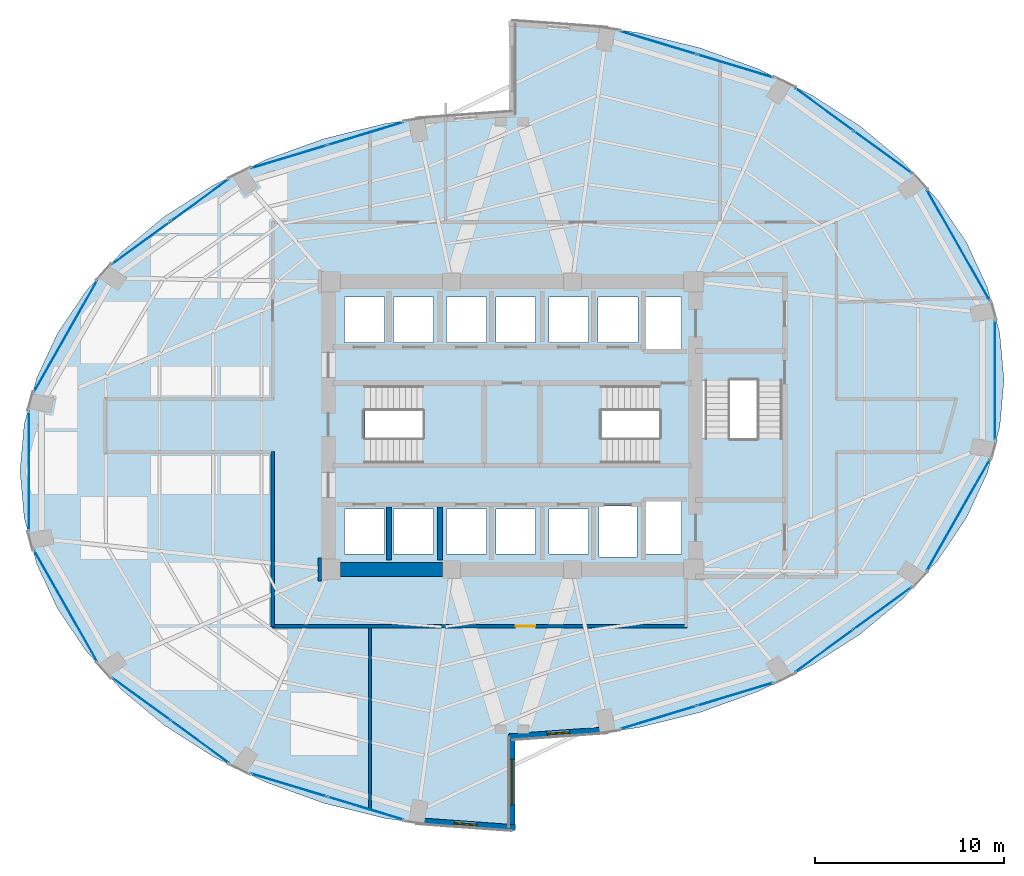
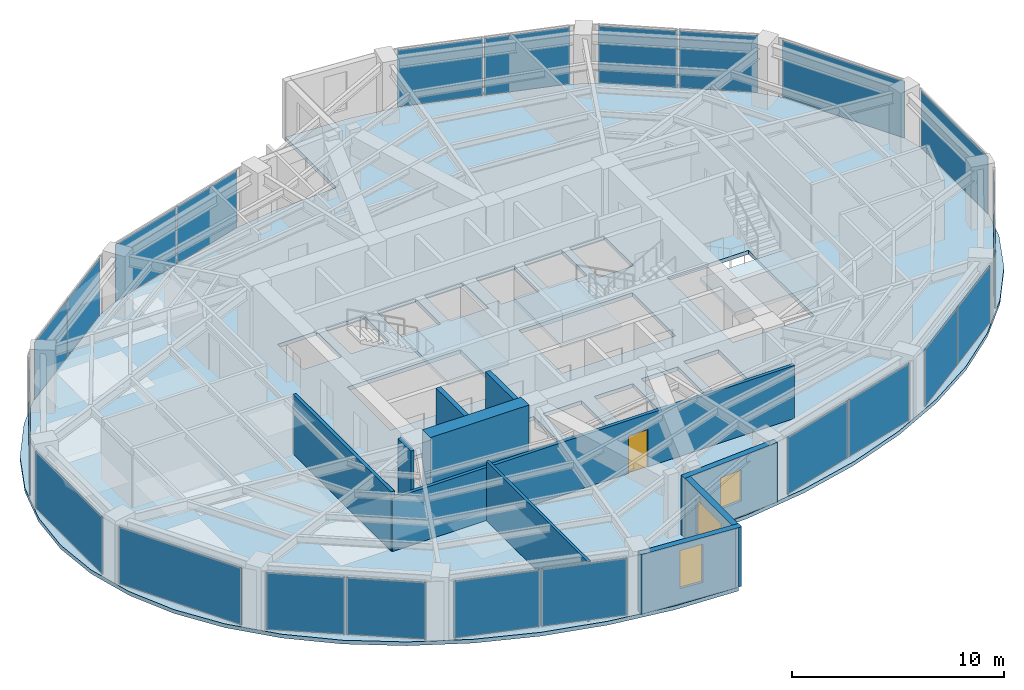
# One storey, part 18 of 23: 22 plates, 10 walls, 4 slabs, 3 windows, 1 door, 4 openings, 17 elements without a shape of their own.
"""IFC4 building model written with IfcOpenShell, lengths in metres."""

import ifcopenshell
import ifcopenshell.guid

model = None  # the IFC model being written
_history = None  # IfcOwnerHistory: only IFC2X3 demands one
_inside = {}  # id of a spatial element -> (the spatial element, [elements in it])
_under = {}  # id of a project, library or spatial element -> (it, [spatial elements below it])
_declared = {}  # id of a project -> (the project, [libraries it declares])
_typed = {}  # id of a type object -> (the type object, [elements of that type])
_made_of = {}  # id of a material, layer set ... -> (it, [elements and type objects made of it])


def new_model(schema):
    """Start an empty IFC model of exactly this schema.

    Asked for "IFC4X3", IfcOpenShell would pick the latest addendum, in which some entities
    have other attributes; the version numbers below select the first issue.
    IFC2X3 requires an IfcOwnerHistory on every rooted entity: one is made here for all.
    """
    global model, _history
    if schema == "IFC4X3":
        model = ifcopenshell.file(schema_version=(4, 3, 0, 0))
    else:
        model = ifcopenshell.file(schema=schema)
    _inside.clear()
    _under.clear()
    _declared.clear()
    _typed.clear()
    _made_of.clear()
    _history = None
    if model.schema == "IFC2X3":
        org = make("IfcOrganization", Name="unknown")
        user = make(
            "IfcPersonAndOrganization",
            ThePerson=make("IfcPerson", FamilyName="unknown"),
            TheOrganization=org,
        )
        app = make(
            "IfcApplication",
            ApplicationDeveloper=org,
            Version="unknown",
            ApplicationFullName="unknown",
            ApplicationIdentifier="unknown",
        )
        _history = make(
            "IfcOwnerHistory",
            OwningUser=user,
            OwningApplication=app,
            ChangeAction="ADDED",
            CreationDate=0,
        )
    return model


def make(cls, **values):
    """One entity of the class cls with the attributes given. An attribute that is None is left unset."""
    return model.create_entity(
        cls, **{name: value for name, value in values.items() if value is not None}
    )


def rooted(cls, **values):
    """An entity with a GlobalId (a new one), such as an element, a storey or a relation."""
    return make(cls, GlobalId=ifcopenshell.guid.new(), OwnerHistory=_history, **values)


def si_unit(unit_type, name, prefix=None):
    """IfcSIUnit, for example si_unit("LENGTHUNIT", "METRE", prefix="MILLI")."""
    return make("IfcSIUnit", UnitType=unit_type, Prefix=prefix, Name=name)


def assignment(units):
    """IfcUnitAssignment: the units of a project."""
    return None if units is None else make("IfcUnitAssignment", Units=units)


def point(xyz):
    """IfcCartesianPoint."""
    return None if xyz is None else make("IfcCartesianPoint", Coordinates=xyz)


def direction(xyz):
    """IfcDirection."""
    return None if xyz is None else make("IfcDirection", DirectionRatios=xyz)


def frame(location, z_axis=None, x_axis=None):
    """IfcAxis2Placement3D, a coordinate frame: its origin and axes. An axis left out is left unset."""
    return make(
        "IfcAxis2Placement3D",
        Location=point(location),
        Axis=direction(z_axis),
        RefDirection=direction(x_axis),
    )


def frame_2d(location, x_axis=None):
    """IfcAxis2Placement2D, a coordinate frame in the plane: its origin and x axis."""
    return make(
        "IfcAxis2Placement2D", Location=point(location), RefDirection=direction(x_axis)
    )


def origin():
    """The frame at (0, 0, 0) with its axes left unset."""
    return frame((0.0, 0.0, 0.0))


def origin_2d():
    """The frame at (0, 0) in the plane with its x axis left unset."""
    return frame_2d((0.0, 0.0))


def place(relative_to, where):
    """IfcLocalPlacement: puts the frame where relative to a parent placement (None: the world)."""
    return make(
        "IfcLocalPlacement", PlacementRelTo=relative_to, RelativePlacement=where
    )


def context(
    kind, dimensions, precision=None, world=None, true_north=None, identifier=None
):
    """IfcGeometricRepresentationContext, for example the 3D "Model" context."""
    return make(
        "IfcGeometricRepresentationContext",
        ContextIdentifier=identifier,
        ContextType=kind,
        CoordinateSpaceDimension=dimensions,
        Precision=precision,
        WorldCoordinateSystem=world,
        TrueNorth=true_north,
    )


def subcontext(parent, identifier, kind, view, scale=None):
    """IfcGeometricRepresentationSubContext, for example "Body" below "Model"."""
    return make(
        "IfcGeometricRepresentationSubContext",
        ContextIdentifier=identifier,
        ContextType=kind,
        ParentContext=parent,
        TargetScale=scale,
        TargetView=view,
    )


def project(units=None, contexts=None):
    """IfcProject with its units and contexts."""
    return rooted(
        "IfcProject",
        Name="project",
        RepresentationContexts=contexts,
        UnitsInContext=assignment(units),
    )


def spatial(cls, under=None, at=None, **own):
    """A site, building, storey or space (cls), placed at a placement, below another one or the project."""
    s = rooted(cls, ObjectPlacement=at, **own)
    if under is not None:
        _under.setdefault(under.id(), (under, []))[1].append(s)
    return s


def polyline(points):
    """IfcPolyline through the points."""
    return make("IfcPolyline", Points=[point(p) for p in points])


def profile(cls, at=None, kind="AREA", **sizes):
    """A parametric profile (cls). Its sizes go by their IFC names, for example OverallWidth=200.0."""
    return make(cls, ProfileType=kind, Position=at, **sizes)


def rectangle(**sizes):
    """IfcRectangleProfileDef."""
    return profile("IfcRectangleProfileDef", **sizes)


def outline(outer, holes=None, kind="AREA"):
    """IfcArbitraryClosedProfileDef: a profile drawn as a closed curve; with holes, ...WithVoids."""
    if holes is None:
        return make("IfcArbitraryClosedProfileDef", ProfileType=kind, OuterCurve=outer)
    return make(
        "IfcArbitraryProfileDefWithVoids",
        ProfileType=kind,
        OuterCurve=outer,
        InnerCurves=holes,
    )


def extrude(swept, where, along, depth):
    """IfcExtrudedAreaSolid: the profile swept, set in the frame where, extruded along a direction by depth."""
    return make(
        "IfcExtrudedAreaSolid",
        SweptArea=swept,
        Position=where,
        ExtrudedDirection=direction(along),
        Depth=depth,
    )


def shape(context_of_items, identifier, shape_type, items):
    """IfcShapeRepresentation: the items that make up one representation, for example the "Body"."""
    return make(
        "IfcShapeRepresentation",
        ContextOfItems=context_of_items,
        RepresentationIdentifier=identifier,
        RepresentationType=shape_type,
        Items=items,
    )


def material(Name=None, Category=None):
    """IfcMaterial."""
    return make("IfcMaterial", Name=Name, Category=Category)


def layer(
    of_material, thickness, ventilated=None, Name=None, Category=None, Priority=None
):
    """IfcMaterialLayer: one layer of a wall or slab, of a material (None: an air gap)."""
    return make(
        "IfcMaterialLayer",
        Material=of_material,
        LayerThickness=thickness,
        IsVentilated=ventilated,
        Name=Name,
        Category=Category,
        Priority=Priority,
    )


def layer_set(layers, Name=None):
    """IfcMaterialLayerSet."""
    return make("IfcMaterialLayerSet", MaterialLayers=layers, LayerSetName=Name)


def made_of(thing, what):
    """Note that an element or type object is made of a material, layer set ...; save() writes the relation."""
    if what is not None:
        _made_of.setdefault(what.id(), (what, []))[1].append(thing)
    return thing


def type_object(cls, material=None, **own):
    """A type object (cls), such as IfcWallType, which elements share."""
    return made_of(rooted(cls, **own), material)


def element(
    cls,
    number,
    at=None,
    inside=None,
    cuts=None,
    type_object=None,
    material=None,
    context=None,
    identifier="Body",
    shape_type=None,
    held_by="IfcProductDefinitionShape",
    body=None,
    shapes=None,
    **own,
):
    """One element of the class cls, such as IfcWall. Its Tag is "e" and its number.

    at: its placement. inside: the storey or other place that contains it. cuts: it is an
    opening in that element (IfcRelVoidsElement). A single representation is given by context,
    identifier, shape_type and body (its items); several are given by shapes. held_by: the class
    of the entity that holds the representations. save() writes the other relations.
    """
    e = rooted(cls, Tag="e%d" % number, ObjectPlacement=at, **own)
    if body is not None:
        shapes = [shape(context, identifier, shape_type, body)]
    if shapes is not None:
        e.Representation = make(held_by, Representations=shapes)
    if inside is not None:
        _inside.setdefault(inside.id(), (inside, []))[1].append(e)
    if cuts is not None:
        rooted(
            "IfcRelVoidsElement", RelatingBuildingElement=cuts, RelatedOpeningElement=e
        )
    if type_object is not None:
        _typed.setdefault(type_object.id(), (type_object, []))[1].append(e)
    return made_of(e, material)


def fill(opening, filler):
    """IfcRelFillsElement: the door or window that sits in an opening."""
    return rooted(
        "IfcRelFillsElement",
        RelatingOpeningElement=opening,
        RelatedBuildingElement=filler,
    )


def aggregate(whole, parts):
    """IfcRelAggregates: a whole, such as a stair, and the parts it consists of."""
    return rooted("IfcRelAggregates", RelatingObject=whole, RelatedObjects=parts)


def save(model, path):
    """Write the relations noted so far, then the file.

    IfcRelAggregates (storeys below a building ...), IfcRelContainedInSpatialStructure (elements
    in a storey), IfcRelDefinesByType, IfcRelAssociatesMaterial and IfcRelDeclares: one each for
    every whole, place, type object, material and project.
    """
    for whole, parts in _under.values():
        aggregate(whole, parts)
    for where, things in _inside.values():
        rooted(
            "IfcRelContainedInSpatialStructure",
            RelatedElements=things,
            RelatingStructure=where,
        )
    for kind, things in _typed.values():
        rooted("IfcRelDefinesByType", RelatedObjects=things, RelatingType=kind)
    for what, things in _made_of.values():
        rooted("IfcRelAssociatesMaterial", RelatedObjects=things, RelatingMaterial=what)
    for by, libraries in _declared.values():
        rooted("IfcRelDeclares", RelatingContext=by, RelatedDefinitions=libraries)
    model.write(path)


model = new_model("IFC4")

# Units and contexts
model_context = context("Model", 3, precision=1e-05, world=origin(), true_north=direction((0.0, 1.0)))
body_context = subcontext(model_context, "Body", "Model", "MODEL_VIEW")
ifc_project = project(units=[si_unit("LENGTHUNIT", "METRE"), si_unit("AREAUNIT", "SQUARE_METRE"), si_unit("VOLUMEUNIT", "CUBIC_METRE"), si_unit("PLANEANGLEUNIT", "RADIAN"), si_unit("MASSUNIT", "GRAM", prefix="KILO")], contexts=[model_context])

# Site, building, storey
site_placement = place(None, origin())
site = spatial("IfcSite", under=ifc_project, at=site_placement, CompositionType="ELEMENT")
building_placement = place(site_placement, origin())
building = spatial("IfcBuilding", under=site, at=building_placement, Name="Lazwardi Medical Tower", CompositionType="ELEMENT")
storey_placement = place(building_placement, frame((0.0, 0.0, 121.8720703125)))
storey = spatial("IfcBuildingStorey", under=building, at=storey_placement, Name="L31", CompositionType="ELEMENT", Elevation=121.8720703125)

# Curtain wall, plates
ifc_material_1 = material(Name="Anodised bronze aluminium and solar control glazing", Category="aluminium")
ifc_layer_1 = layer(ifc_material_1, 0.195068359375)
ifc_layer_set_1 = layer_set([ifc_layer_1], Name="Anodised bronze aluminium and solar control glazing")
curtain_wall_type = type_object("IfcCurtainWallType", Name="CW-SYS-03", PredefinedType="NOTDEFINED", material=ifc_layer_set_1)
curtain_wall_1_placement = place(storey_placement, origin())
curtain_wall_1 = element("IfcCurtainWall", 1, at=curtain_wall_1_placement, inside=storey, type_object=curtain_wall_type, Name="L31 Unitised bronze curtain wall CW-03", PredefinedType="NOTDEFINED")
ifc_material_2 = material(Name="Low-e bronze solar control double glazing", Category="glass")
ifc_layer_2 = layer(ifc_material_2, 0.035888671875)
ifc_layer_set_2 = layer_set([ifc_layer_2], Name="Low-e bronze solar control double glazing")
plate_type = type_object("IfcPlateType", Name="PLT-GLZ-01", PredefinedType="CURTAIN_PANEL", material=ifc_layer_set_2)
plate_1_placement = place(storey_placement, frame((43.73974609375, 12.573486328125, 0.07470703125), z_axis=(0.0, 0.0, 1.0), x_axis=(0.957216170558, 0.28937381157, 0.0)))
plate_1 = element("IfcPlate", 2, at=plate_1_placement, type_object=plate_type, Name="CW-03 panel 1.1", PredefinedType="CURTAIN_PANEL", context=body_context, shape_type="SweptSolid", body=[
    extrude(rectangle(XDim=4.16552734375, YDim=0.035888671875, at=origin_2d()), origin(), (0.0, 0.0, 1.0), 3.278076171875),
])
plate_2_placement = place(storey_placement, frame((47.798828125, 13.800537109375, 0.07470703125), z_axis=(0.0, 0.0, 1.0), x_axis=(0.957216170558, 0.28937381157, 0.0)))
plate_2 = element("IfcPlate", 3, at=plate_2_placement, type_object=plate_type, Name="CW-03 panel 2.1", PredefinedType="CURTAIN_PANEL", context=body_context, shape_type="SweptSolid", body=[
    extrude(rectangle(XDim=4.16552734375, YDim=0.035888671875, at=origin_2d()), origin(), (0.0, 0.0, 1.0), 3.278076171875),
])
aggregate(curtain_wall_1, [plate_1, plate_2])

curtain_wall_2_placement = place(storey_placement, origin())
curtain_wall_2 = element("IfcCurtainWall", 4, at=curtain_wall_2_placement, inside=storey, type_object=curtain_wall_type, Name="L31 Unitised bronze curtain wall CW-03", PredefinedType="NOTDEFINED")
plate_3_placement = place(storey_placement, frame((52.4990234375, 16.093017578125, 0.07470703125), z_axis=(0.0, 0.0, 1.0), x_axis=(0.807745837639, 0.589530882802, 0.0)))
plate_3 = element("IfcPlate", 5, at=plate_3_placement, type_object=plate_type, Name="CW-03 panel 1.1", PredefinedType="CURTAIN_PANEL", context=body_context, shape_type="SweptSolid", body=[
    extrude(rectangle(XDim=3.767578125, YDim=0.035888671875, at=origin_2d()), origin(), (0.0, 0.0, 1.0), 3.278076171875),
])
plate_4_placement = place(storey_placement, frame((55.60302734375, 18.3583984375, 0.07470703125), z_axis=(0.0, 0.0, 1.0), x_axis=(0.807745837639, 0.589530882802, 0.0)))
plate_4 = element("IfcPlate", 6, at=plate_4_placement, type_object=plate_type, Name="CW-03 panel 2.1", PredefinedType="CURTAIN_PANEL", context=body_context, shape_type="SweptSolid", body=[
    extrude(rectangle(XDim=3.767578125, YDim=0.035888671875, at=origin_2d()), origin(), (0.0, 0.0, 1.0), 3.278076171875),
])
aggregate(curtain_wall_2, [plate_3, plate_4])

# Curtain wall, plate
curtain_wall_3_placement = place(storey_placement, origin())
curtain_wall_3 = element("IfcCurtainWall", 7, at=curtain_wall_3_placement, inside=storey, type_object=curtain_wall_type, Name="L31 Unitised bronze curtain wall CW-03", PredefinedType="NOTDEFINED")
plate_5_placement = place(storey_placement, frame((59.5849609375, 23.270263671875, 0.07470703125), z_axis=(0.0, 0.0, 1.0), x_axis=(0.493603140041, 0.869687265712, 0.0)))
plate_5 = element("IfcPlate", 8, at=plate_5_placement, type_object=plate_type, Name="CW-03 panel 1.1", PredefinedType="CURTAIN_PANEL", context=body_context, shape_type="SweptSolid", body=[
    extrude(rectangle(XDim=6.722900390625, YDim=0.035888671875, at=origin_2d()), origin(), (0.0, 0.0, 1.0), 3.278076171875),
])
aggregate(curtain_wall_3, [plate_5])

curtain_wall_4_placement = place(storey_placement, origin())
curtain_wall_4 = element("IfcCurtainWall", 9, at=curtain_wall_4_placement, inside=storey, type_object=curtain_wall_type, Name="L31 Unitised bronze curtain wall CW-03", PredefinedType="NOTDEFINED")
plate_6_placement = place(storey_placement, frame((61.528076171875, 30.39990234375, 0.07470703125), z_axis=(0.0, 0.0, 1.0), x_axis=(0.0, 1.0, 0.0)))
plate_6 = element("IfcPlate", 10, at=plate_6_placement, type_object=plate_type, Name="CW-03 panel 1.1", PredefinedType="CURTAIN_PANEL", context=body_context, shape_type="SweptSolid", body=[
    extrude(rectangle(XDim=6.31982421875, YDim=0.035888671875, at=origin_2d()), origin(), (0.0, 0.0, 1.0), 3.278076171875),
])
aggregate(curtain_wall_4, [plate_6])

curtain_wall_5_placement = place(storey_placement, origin())
curtain_wall_5 = element("IfcCurtainWall", 11, at=curtain_wall_5_placement, inside=storey, type_object=curtain_wall_type, Name="L31 Unitised bronze curtain wall CW-03", PredefinedType="NOTDEFINED")
plate_7_placement = place(storey_placement, frame((59.5849609375, 37.52978515625, 0.07470703125), z_axis=(0.0, 0.0, 1.0), x_axis=(-0.493603140041, 0.869687265712, 0.0)))
plate_7 = element("IfcPlate", 12, at=plate_7_placement, type_object=plate_type, Name="CW-03 panel 1.1", PredefinedType="CURTAIN_PANEL", context=body_context, shape_type="SweptSolid", body=[
    extrude(rectangle(XDim=6.722900390625, YDim=0.035888671875, at=origin_2d()), origin(), (0.0, 0.0, 1.0), 3.278076171875),
])
aggregate(curtain_wall_5, [plate_7])

# Curtain wall, plates
curtain_wall_6_placement = place(storey_placement, origin())
curtain_wall_6 = element("IfcCurtainWall", 13, at=curtain_wall_6_placement, inside=storey, type_object=curtain_wall_type, Name="L31 Unitised bronze curtain wall CW-03", PredefinedType="NOTDEFINED")
plate_8_placement = place(storey_placement, frame((55.60302734375, 42.441650390625, 0.07470703125), z_axis=(0.0, 0.0, 1.0), x_axis=(-0.807745837639, 0.589530882802, 0.0)))
plate_8 = element("IfcPlate", 14, at=plate_8_placement, type_object=plate_type, Name="CW-03 panel 1.1", PredefinedType="CURTAIN_PANEL", context=body_context, shape_type="SweptSolid", body=[
    extrude(rectangle(XDim=3.767578125, YDim=0.035888671875, at=origin_2d()), origin(), (0.0, 0.0, 1.0), 3.278076171875),
])
plate_9_placement = place(storey_placement, frame((52.4990234375, 44.70703125, 0.07470703125), z_axis=(0.0, 0.0, 1.0), x_axis=(-0.807745837639, 0.589530882802, 0.0)))
plate_9 = element("IfcPlate", 15, at=plate_9_placement, type_object=plate_type, Name="CW-03 panel 2.1", PredefinedType="CURTAIN_PANEL", context=body_context, shape_type="SweptSolid", body=[
    extrude(rectangle(XDim=3.767578125, YDim=0.035888671875, at=origin_2d()), origin(), (0.0, 0.0, 1.0), 3.278076171875),
])
aggregate(curtain_wall_6, [plate_8, plate_9])

curtain_wall_7_placement = place(storey_placement, origin())
curtain_wall_7 = element("IfcCurtainWall", 16, at=curtain_wall_7_placement, inside=storey, type_object=curtain_wall_type, Name="L31 Unitised bronze curtain wall CW-03", PredefinedType="NOTDEFINED")
plate_10_placement = place(storey_placement, frame((47.798828125, 46.99951171875, 0.07470703125), z_axis=(0.0, 0.0, 1.0), x_axis=(-0.957216170558, 0.28937381157, 0.0)))
plate_10 = element("IfcPlate", 17, at=plate_10_placement, type_object=plate_type, Name="CW-03 panel 1.1", PredefinedType="CURTAIN_PANEL", context=body_context, shape_type="SweptSolid", body=[
    extrude(rectangle(XDim=4.16552734375, YDim=0.035888671875, at=origin_2d()), origin(), (0.0, 0.0, 1.0), 3.278076171875),
])
plate_11_placement = place(storey_placement, frame((43.73974609375, 48.2265625, 0.07470703125), z_axis=(0.0, 0.0, 1.0), x_axis=(-0.957216170558, 0.28937381157, 0.0)))
plate_11 = element("IfcPlate", 18, at=plate_11_placement, type_object=plate_type, Name="CW-03 panel 2.1", PredefinedType="CURTAIN_PANEL", context=body_context, shape_type="SweptSolid", body=[
    extrude(rectangle(XDim=4.16552734375, YDim=0.035888671875, at=origin_2d()), origin(), (0.0, 0.0, 1.0), 3.278076171875),
])
aggregate(curtain_wall_7, [plate_10, plate_11])

curtain_wall_8_placement = place(storey_placement, origin())
curtain_wall_8 = element("IfcCurtainWall", 19, at=curtain_wall_8_placement, inside=storey, type_object=curtain_wall_type, Name="L31 Unitised bronze curtain wall CW-03", PredefinedType="NOTDEFINED")
plate_12_placement = place(storey_placement, frame((28.26025390625, 43.426513671875, 0.07470703125), z_axis=(0.0, 0.0, 1.0), x_axis=(-0.957216170558, -0.28937381157, 0.0)))
plate_12 = element("IfcPlate", 20, at=plate_12_placement, type_object=plate_type, Name="CW-03 panel 1.1", PredefinedType="CURTAIN_PANEL", context=body_context, shape_type="SweptSolid", body=[
    extrude(rectangle(XDim=4.16552734375, YDim=0.035888671875, at=origin_2d()), origin(), (0.0, 0.0, 1.0), 3.278076171875),
])
plate_13_placement = place(storey_placement, frame((24.201171875, 42.199462890625, 0.07470703125), z_axis=(0.0, 0.0, 1.0), x_axis=(-0.957216170558, -0.28937381157, 0.0)))
plate_13 = element("IfcPlate", 21, at=plate_13_placement, type_object=plate_type, Name="CW-03 panel 2.1", PredefinedType="CURTAIN_PANEL", context=body_context, shape_type="SweptSolid", body=[
    extrude(rectangle(XDim=4.16552734375, YDim=0.035888671875, at=origin_2d()), origin(), (0.0, 0.0, 1.0), 3.278076171875),
])
aggregate(curtain_wall_8, [plate_12, plate_13])

curtain_wall_9_placement = place(storey_placement, origin())
curtain_wall_9 = element("IfcCurtainWall", 22, at=curtain_wall_9_placement, inside=storey, type_object=curtain_wall_type, Name="L31 Unitised bronze curtain wall CW-03", PredefinedType="NOTDEFINED")
plate_14_placement = place(storey_placement, frame((19.5009765625, 39.906982421875, 0.07470703125), z_axis=(0.0, 0.0, 1.0), x_axis=(-0.807745837639, -0.589530882802, 0.0)))
plate_14 = element("IfcPlate", 23, at=plate_14_placement, type_object=plate_type, Name="CW-03 panel 1.1", PredefinedType="CURTAIN_PANEL", context=body_context, shape_type="SweptSolid", body=[
    extrude(rectangle(XDim=3.767578125, YDim=0.035888671875, at=origin_2d()), origin(), (0.0, 0.0, 1.0), 3.278076171875),
])
plate_15_placement = place(storey_placement, frame((16.39697265625, 37.6416015625, 0.07470703125), z_axis=(0.0, 0.0, 1.0), x_axis=(-0.807745837639, -0.589530882802, 0.0)))
plate_15 = element("IfcPlate", 24, at=plate_15_placement, type_object=plate_type, Name="CW-03 panel 2.1", PredefinedType="CURTAIN_PANEL", context=body_context, shape_type="SweptSolid", body=[
    extrude(rectangle(XDim=3.767578125, YDim=0.035888671875, at=origin_2d()), origin(), (0.0, 0.0, 1.0), 3.278076171875),
])
aggregate(curtain_wall_9, [plate_14, plate_15])

# Curtain wall, plate
curtain_wall_10_placement = place(storey_placement, origin())
curtain_wall_10 = element("IfcCurtainWall", 25, at=curtain_wall_10_placement, inside=storey, type_object=curtain_wall_type, Name="L31 Unitised bronze curtain wall CW-03", PredefinedType="NOTDEFINED")
plate_16_placement = place(storey_placement, frame((12.4150390625, 32.729736328125, 0.07470703125), z_axis=(0.0, 0.0, 1.0), x_axis=(-0.493603140041, -0.869687265712, 0.0)))
plate_16 = element("IfcPlate", 26, at=plate_16_placement, type_object=plate_type, Name="CW-03 panel 1.1", PredefinedType="CURTAIN_PANEL", context=body_context, shape_type="SweptSolid", body=[
    extrude(rectangle(XDim=6.722900390625, YDim=0.035888671875, at=origin_2d()), origin(), (0.0, 0.0, 1.0), 3.278076171875),
])
aggregate(curtain_wall_10, [plate_16])

curtain_wall_11_placement = place(storey_placement, origin())
curtain_wall_11 = element("IfcCurtainWall", 27, at=curtain_wall_11_placement, inside=storey, type_object=curtain_wall_type, Name="L31 Unitised bronze curtain wall CW-03", PredefinedType="NOTDEFINED")
plate_17_placement = place(storey_placement, frame((10.471923828125, 25.60009765625, 0.07470703125), z_axis=(0.0, 0.0, 1.0), x_axis=(0.0, -1.0, 0.0)))
plate_17 = element("IfcPlate", 28, at=plate_17_placement, type_object=plate_type, Name="CW-03 panel 1.1", PredefinedType="CURTAIN_PANEL", context=body_context, shape_type="SweptSolid", body=[
    extrude(rectangle(XDim=6.31982421875, YDim=0.035888671875, at=origin_2d()), origin(), (0.0, 0.0, 1.0), 3.278076171875),
])
aggregate(curtain_wall_11, [plate_17])

curtain_wall_12_placement = place(storey_placement, origin())
curtain_wall_12 = element("IfcCurtainWall", 29, at=curtain_wall_12_placement, inside=storey, type_object=curtain_wall_type, Name="L31 Unitised bronze curtain wall CW-03", PredefinedType="NOTDEFINED")
plate_18_placement = place(storey_placement, frame((12.4150390625, 18.47021484375, 0.07470703125), z_axis=(0.0, 0.0, 1.0), x_axis=(0.493603140041, -0.869687265712, 0.0)))
plate_18 = element("IfcPlate", 30, at=plate_18_placement, type_object=plate_type, Name="CW-03 panel 1.1", PredefinedType="CURTAIN_PANEL", context=body_context, shape_type="SweptSolid", body=[
    extrude(rectangle(XDim=6.722900390625, YDim=0.035888671875, at=origin_2d()), origin(), (0.0, 0.0, 1.0), 3.278076171875),
])
aggregate(curtain_wall_12, [plate_18])

# Curtain wall, plates
curtain_wall_13_placement = place(storey_placement, origin())
curtain_wall_13 = element("IfcCurtainWall", 31, at=curtain_wall_13_placement, inside=storey, type_object=curtain_wall_type, Name="L31 Unitised bronze curtain wall CW-03", PredefinedType="NOTDEFINED")
plate_19_placement = place(storey_placement, frame((16.39697265625, 13.558349609375, 0.07470703125), z_axis=(0.0, 0.0, 1.0), x_axis=(0.807745837639, -0.589530882802, 0.0)))
plate_19 = element("IfcPlate", 32, at=plate_19_placement, type_object=plate_type, Name="CW-03 panel 1.1", PredefinedType="CURTAIN_PANEL", context=body_context, shape_type="SweptSolid", body=[
    extrude(rectangle(XDim=3.767578125, YDim=0.035888671875, at=origin_2d()), origin(), (0.0, 0.0, 1.0), 3.278076171875),
])
plate_20_placement = place(storey_placement, frame((19.5009765625, 11.29296875, 0.07470703125), z_axis=(0.0, 0.0, 1.0), x_axis=(0.807745837639, -0.589530882802, 0.0)))
plate_20 = element("IfcPlate", 33, at=plate_20_placement, type_object=plate_type, Name="CW-03 panel 2.1", PredefinedType="CURTAIN_PANEL", context=body_context, shape_type="SweptSolid", body=[
    extrude(rectangle(XDim=3.767578125, YDim=0.035888671875, at=origin_2d()), origin(), (0.0, 0.0, 1.0), 3.278076171875),
])
aggregate(curtain_wall_13, [plate_19, plate_20])

curtain_wall_14_placement = place(storey_placement, origin())
curtain_wall_14 = element("IfcCurtainWall", 34, at=curtain_wall_14_placement, inside=storey, type_object=curtain_wall_type, Name="L31 Unitised bronze curtain wall CW-03", PredefinedType="NOTDEFINED")
plate_21_placement = place(storey_placement, frame((24.201171875, 9.00048828125, 0.07470703125), z_axis=(0.0, 0.0, 1.0), x_axis=(0.957216170558, -0.28937381157, 0.0)))
plate_21 = element("IfcPlate", 35, at=plate_21_placement, type_object=plate_type, Name="CW-03 panel 1.1", PredefinedType="CURTAIN_PANEL", context=body_context, shape_type="SweptSolid", body=[
    extrude(rectangle(XDim=4.16552734375, YDim=0.035888671875, at=origin_2d()), origin(), (0.0, 0.0, 1.0), 3.278076171875),
])
plate_22_placement = place(storey_placement, frame((28.26025390625, 7.7734375, 0.07470703125), z_axis=(0.0, 0.0, 1.0), x_axis=(0.957216170558, -0.28937381157, 0.0)))
plate_22 = element("IfcPlate", 36, at=plate_22_placement, type_object=plate_type, Name="CW-03 panel 2.1", PredefinedType="CURTAIN_PANEL", context=body_context, shape_type="SweptSolid", body=[
    extrude(rectangle(XDim=4.16552734375, YDim=0.035888671875, at=origin_2d()), origin(), (0.0, 0.0, 1.0), 3.278076171875),
])
aggregate(curtain_wall_14, [plate_21, plate_22])

# Stair, slab
ifc_material_3 = material(Name="Concrete C45/55", Category="concrete")
stair_type = type_object("IfcStairType", Name="STR-WRD", PredefinedType="HALF_TURN_STAIR", material=ifc_material_3)
stair_1_placement = place(storey_placement, origin())
stair_1 = element("IfcStair", 37, at=stair_1_placement, inside=storey, type_object=stair_type, Name="L31 Protected Exit Stair ST1", PredefinedType="HALF_TURN_STAIR")
ifc_layer_3 = layer(ifc_material_3, 0.199951171875)
ifc_layer_set_3 = layer_set([ifc_layer_3], Name="Concrete C45/55")
slab_type_1 = type_object("IfcSlabType", Name="SLB-LND-190", PredefinedType="LANDING", material=ifc_layer_set_3)
slab_1_placement = place(storey_placement, frame((0.0, 0.0, 1.6240234375)))
slab_1 = element("IfcSlab", 38, at=slab_1_placement, type_object=slab_type_1, Name="ST1 landing 1", PredefinedType="LANDING", context=body_context, shape_type="SweptSolid", body=[
    extrude(outline(polyline([(31.27490234375, 25.840087890625), (34.580078125, 25.840087890625), (34.580078125, 30.280029296875), (31.27490234375, 30.280029296875), (31.27490234375, 25.840087890625)])), origin(), (0.0, 0.0, 1.0), 0.199951171875),
])
aggregate(stair_1, [slab_1])

stair_2_placement = place(storey_placement, origin())
stair_2 = element("IfcStair", 39, at=stair_2_placement, inside=storey, type_object=stair_type, Name="L31 Protected Exit Stair ST2", PredefinedType="HALF_TURN_STAIR")
slab_2_placement = place(storey_placement, frame((0.0, 0.0, 1.6240234375)))
slab_2 = element("IfcSlab", 40, at=slab_2_placement, type_object=slab_type_1, Name="ST2 landing 1", PredefinedType="LANDING", context=body_context, shape_type="SweptSolid", body=[
    extrude(outline(polyline([(40.72509765625, 30.280029296875), (37.419921875, 30.280029296875), (37.419921875, 25.840087890625), (40.72509765625, 25.840087890625), (40.72509765625, 30.280029296875)])), origin(), (0.0, 0.0, 1.0), 0.199951171875),
])
aggregate(stair_2, [slab_2])

stair_3_placement = place(storey_placement, origin())
stair_3 = element("IfcStair", 41, at=stair_3_placement, inside=storey, type_object=stair_type, Name="L31 Protected Exit Stair ST3", PredefinedType="HALF_TURN_STAIR")
slab_3_placement = place(storey_placement, frame((0.0, 0.0, 1.6240234375)))
slab_3 = element("IfcSlab", 42, at=slab_3_placement, type_object=slab_type_1, Name="ST3 landing 1", PredefinedType="LANDING", context=body_context, shape_type="SweptSolid", body=[
    extrude(outline(polyline([(45.860107421875, 27.324951171875), (45.860107421875, 24.02001953125), (50.4599609375, 24.02001953125), (50.4599609375, 27.324951171875), (45.860107421875, 27.324951171875)])), origin(), (0.0, 0.0, 1.0), 0.199951171875),
])
aggregate(stair_3, [slab_3])

# Slab
ifc_material_4 = material(Name="Concrete C50/60", Category="concrete")
ifc_layer_4 = layer(ifc_material_4, 0.219970703125)
ifc_layer_set_4 = layer_set([ifc_layer_4], Name="Concrete C50/60")
slab_type_2 = type_object("IfcSlabType", Name="SLB-WRD-220", PredefinedType="FLOOR", material=ifc_layer_set_4)
slab_4_placement = place(storey_placement, frame((0.0, 0.0, -0.219970703125)))
element("IfcSlab", 43, at=slab_4_placement, inside=storey, type_object=slab_type_2, Name="Structural floor slab SF-03 L31", PredefinedType="FLOOR", context=body_context, shape_type="SweptSolid", body=[
    extrude(outline(polyline([(11.97900390625, 32.87109375), (10.885986328125, 30.517578125), (10.222412109375, 28.080078125), (10.0, 25.60009765625), (10.222412109375, 23.1201171875), (10.885986328125, 20.682373046875), (11.97900390625, 18.3291015625), (13.4833984375, 16.10009765625), (15.372802734375, 14.033447265625), (17.615234375, 12.1650390625), (20.172119140625, 10.5263671875), (23.0, 9.1455078125), (26.05029296875, 8.04638671875), (29.270751953125, 7.247314453125), (32.606201171875, 6.762451171875), (36.0, 6.60009765625), (36.0, 11.39990234375), (39.393798828125, 11.5625), (42.729248046875, 12.04736328125), (45.94970703125, 12.84619140625), (49.0, 13.945556640625), (51.827880859375, 15.326416015625), (54.384765625, 16.965087890625), (56.627197265625, 18.83349609375), (58.5166015625, 20.89990234375), (60.02099609375, 23.12890625), (61.114013671875, 25.482421875), (61.777587890625, 27.919921875), (62.0, 30.39990234375), (61.777587890625, 32.8798828125), (61.114013671875, 35.317626953125), (60.02099609375, 37.6708984375), (58.5166015625, 39.89990234375), (56.627197265625, 41.966552734375), (54.384765625, 43.8349609375), (51.827880859375, 45.4736328125), (49.0, 46.8544921875), (45.94970703125, 47.95361328125), (42.729248046875, 48.752685546875), (39.393798828125, 49.237548828125), (36.0, 49.39990234375), (36.0, 44.60009765625), (32.606201171875, 44.4375), (29.270751953125, 43.95263671875), (26.05029296875, 43.15380859375), (23.0, 42.054443359375), (20.172119140625, 40.673583984375), (17.615234375, 39.034912109375), (15.372802734375, 37.16650390625), (13.4833984375, 35.10009765625), (11.97900390625, 32.87109375)]), holes=[polyline([(28.22509765625, 26.02001953125), (28.22509765625, 30.10009765625), (34.39990234375, 30.10009765625), (34.39990234375, 26.02001953125), (28.22509765625, 26.02001953125)]), polyline([(37.60009765625, 30.10009765625), (43.77490234375, 30.10009765625), (43.77490234375, 26.02001953125), (37.60009765625, 26.02001953125), (37.60009765625, 30.10009765625)]), polyline([(50.280029296875, 30.375), (50.280029296875, 24.179931640625), (45.840087890625, 24.179931640625), (45.840087890625, 30.375), (50.280029296875, 30.375)]), polyline([(29.25, 32.39990234375), (27.14990234375, 32.39990234375), (27.14990234375, 34.800048828125), (29.25, 34.800048828125), (29.25, 32.39990234375)]), polyline([(29.75, 32.39990234375), (29.75, 34.800048828125), (31.85009765625, 34.800048828125), (31.85009765625, 32.39990234375), (29.75, 32.39990234375)]), polyline([(27.14990234375, 23.60009765625), (29.25, 23.60009765625), (29.25, 21.199951171875), (27.14990234375, 21.199951171875), (27.14990234375, 23.60009765625)]), polyline([(31.85009765625, 23.60009765625), (31.85009765625, 21.199951171875), (29.75, 21.199951171875), (29.75, 23.60009765625), (31.85009765625, 23.60009765625)]), polyline([(34.64990234375, 32.39990234375), (32.550048828125, 32.39990234375), (32.550048828125, 34.800048828125), (34.64990234375, 34.800048828125), (34.64990234375, 32.39990234375)]), polyline([(35.14990234375, 32.39990234375), (35.14990234375, 34.800048828125), (37.25, 34.800048828125), (37.25, 32.39990234375), (35.14990234375, 32.39990234375)]), polyline([(32.550048828125, 23.60009765625), (34.64990234375, 23.60009765625), (34.64990234375, 21.199951171875), (32.550048828125, 21.199951171875), (32.550048828125, 23.60009765625)]), polyline([(37.25, 23.60009765625), (37.25, 21.199951171875), (35.14990234375, 21.199951171875), (35.14990234375, 23.60009765625), (37.25, 23.60009765625)]), polyline([(40.050048828125, 32.39990234375), (37.949951171875, 32.39990234375), (37.949951171875, 34.800048828125), (40.050048828125, 34.800048828125), (40.050048828125, 32.39990234375)]), polyline([(40.550048828125, 32.39990234375), (40.550048828125, 34.800048828125), (42.64990234375, 34.800048828125), (42.64990234375, 32.39990234375), (40.550048828125, 32.39990234375)]), polyline([(37.949951171875, 23.60009765625), (40.050048828125, 23.60009765625), (40.050048828125, 21.199951171875), (37.949951171875, 21.199951171875), (37.949951171875, 23.60009765625)]), polyline([(44.949951171875, 34.800048828125), (44.949951171875, 32.0), (43.050048828125, 32.0), (43.050048828125, 34.800048828125), (44.949951171875, 34.800048828125)]), polyline([(44.949951171875, 21.199951171875), (43.050048828125, 21.199951171875), (43.050048828125, 24.0), (44.949951171875, 24.0), (44.949951171875, 21.199951171875)]), polyline([(40.60009765625, 21.050048828125), (40.60009765625, 23.75), (42.60009765625, 23.75), (42.60009765625, 21.050048828125), (40.60009765625, 21.050048828125)])]), origin(), (0.0, 0.0, 1.0), 0.219970703125),
])

# Wall
ifc_material_5 = material(Name="Fire-rated gypsum board on steel stud", Category="steel")
ifc_layer_5 = layer(ifc_material_5, 0.179931640625)
ifc_layer_set_5 = layer_set([ifc_layer_5], Name="Fire-rated gypsum board on steel stud")
wall_type_1 = type_object("IfcWallType", Name="WL-COR-180", PredefinedType="PARTITIONING", material=ifc_layer_set_5)
wall_1_placement = place(storey_placement, frame((25.830078125, 21.010009765625, 0.0), z_axis=(0.0, 0.0, 1.0), x_axis=(0.0, -1.0, 0.0)))
element("IfcWall", 44, at=wall_1_placement, inside=storey, type_object=wall_type_1, Name="L31 Corridor partition 12", PredefinedType="PARTITIONING", context=body_context, shape_type="SweptSolid", body=[
    extrude(rectangle(XDim=1.219970703125, YDim=0.179931640625, at=frame_2d((0.60986328125, 0.0))), origin(), (0.0, 0.0, 1.0), 3.427978515625),
])

# Wall, opening, door
wall_2_placement = place(storey_placement, frame((45.239990234375, 17.39990234375, 0.0), z_axis=(0.0, 0.0, 1.0), x_axis=(-1.0, 0.0, 0.0)))
wall_2 = element("IfcWall", 45, at=wall_2_placement, inside=storey, type_object=wall_type_1, Name="L31 Corridor partition 14", PredefinedType="PARTITIONING", context=body_context, shape_type="SweptSolid", body=[
    extrude(rectangle(XDim=21.929931640625, YDim=0.179931640625, at=frame_2d((10.96484375, 0.0))), origin(), (0.0, 0.0, 1.0), 3.052978515625),
])
opening_1_placement = place(wall_2_placement, frame((8.00390625, 0.0, 0.0)))
opening_1 = element("IfcOpeningElement", 46, at=opening_1_placement, cuts=wall_2, Name="Opening D-L31-007", PredefinedType="OPENING", context=body_context, shape_type="SweptSolid", body=[
    extrude(rectangle(XDim=1.050048828125, YDim=2.14990234375, at=frame_2d((0.52490234375, 1.074951171875))), frame((0.0, 0.099853515625, 0.0), z_axis=(0.0, -1.0, 0.0), x_axis=(1.0, 0.0, 0.0)), (0.0, 0.0, 1.0), 0.199951171875),
])
ifc_material_6 = material(Name="Anti-microbial laminate hospital leaf")
door_type = type_object("IfcDoorType", Name="DR-CLN-1050", OperationType="NOTDEFINED", PredefinedType="DOOR", material=ifc_material_6)
door_placement = place(opening_1_placement, origin())
door = element("IfcDoor", 47, at=door_placement, inside=storey, type_object=door_type, Name="L31 Outpatient Clinic Door 02", OperationType="SINGLE_SWING_RIGHT", OverallHeight=2.14990234375, OverallWidth=1.050048828125, PredefinedType="DOOR", context=body_context, shape_type="SweptSolid", body=[
    extrude(rectangle(XDim=1.050048828125, YDim=2.14990234375, at=frame_2d((0.52490234375, 1.074951171875))), frame((0.0, 0.02490234375, 0.0), z_axis=(0.0, -1.0, 0.0), x_axis=(1.0, 0.0, 0.0)), (0.0, 0.0, 1.0), 0.050048828125),
])
fill(opening_1, door)

# Walls
wall_3_placement = place(storey_placement, frame((23.35009765625, 17.360107421875, 0.0), z_axis=(0.0, 0.0, 1.0), x_axis=(0.0, 1.0, 0.0)))
element("IfcWall", 48, at=wall_3_placement, inside=storey, type_object=wall_type_1, Name="L31 Corridor partition 15", PredefinedType="PARTITIONING", context=body_context, shape_type="SweptSolid", body=[
    extrude(rectangle(XDim=9.27978515625, YDim=0.179931640625, at=frame_2d((4.639892578125, 0.0))), origin(), (0.0, 0.0, 1.0), 3.427978515625),
])
ifc_material_7 = material(Name="Concrete C70/85", Category="concrete")
ifc_layer_6 = layer(ifc_material_7, 0.75)
ifc_layer_set_6 = layer_set([ifc_layer_6], Name="Concrete C70/85")
wall_type_2 = type_object("IfcWallType", Name="WL-CORE-750", PredefinedType="SHEAR", material=ifc_layer_set_6)
wall_4_placement = place(storey_placement, frame((26.949951171875, 20.39990234375, 0.0), z_axis=(0.0, 0.0, 1.0), x_axis=(1.0, 0.0, 0.0)))
element("IfcWall", 49, at=wall_4_placement, inside=storey, type_object=wall_type_2, Name="Core wall CW-S2 S1 L31", PredefinedType="SHEAR", context=body_context, shape_type="SweptSolid", body=[
    extrude(rectangle(XDim=5.375, YDim=0.75, at=frame_2d((2.6875, 0.0))), origin(), (0.0, 0.0, 1.0), 3.64794921875),
])

# Wall, opening, window
ifc_material_8 = material(Name="Precast concrete C45/55", Category="concrete")
ifc_layer_7 = layer(ifc_material_8, 0.320068359375)
ifc_layer_set_7 = layer_set([ifc_layer_7], Name="Precast concrete C45/55")
wall_type_3 = type_object("IfcWallType", Name="WL-IWAN-320", PredefinedType="SOLIDWALL", material=ifc_layer_set_7)
wall_5_placement = place(storey_placement, frame((35.820556640625, 11.547119140625, 0.0), z_axis=(0.0, 0.0, 1.0), x_axis=(0.997432364291, 0.071614793619, 0.0)))
wall_5 = element("IfcWall", 50, at=wall_5_placement, inside=storey, type_object=wall_type_3, Name="L31 Iwan Portal Return Wall SE_ret", PredefinedType="SOLIDWALL", context=body_context, shape_type="SweptSolid", body=[
    extrude(rectangle(XDim=5.2841796875, YDim=0.320068359375, at=frame_2d((2.64208984375, 0.0))), origin(), (0.0, 0.0, 1.0), 3.427978515625),
])
opening_2_placement = place(wall_5_placement, frame((2.0419921875, 0.0, 0.85009765625)))
opening_2 = element("IfcOpeningElement", 51, at=opening_2_placement, cuts=wall_5, Name="Opening WN-04", PredefinedType="OPENING", context=body_context, shape_type="SweptSolid", body=[
    extrude(rectangle(XDim=1.199951171875, YDim=1.800048828125, at=frame_2d((0.60009765625, 0.89990234375))), frame((0.0, 0.169921875, 0.0), z_axis=(0.0, -1.0, 0.0), x_axis=(1.0, 0.0, 0.0)), (0.0, 0.0, 1.0), 0.340087890625),
])
window_type_1 = type_object("IfcWindowType", Name="WIN-DRUM-1200", PartitioningType="SINGLE_PANEL", PredefinedType="WINDOW", material=ifc_material_2)
window_1_placement = place(opening_2_placement, origin())
window_1 = element("IfcWindow", 52, at=window_1_placement, inside=storey, type_object=window_type_1, Name="L31 Iwan Slot Window SE_ret", OverallHeight=1.800048828125, OverallWidth=1.199951171875, PartitioningType="SINGLE_PANEL", PredefinedType="WINDOW", context=body_context, shape_type="SweptSolid", body=[
    extrude(rectangle(XDim=1.199951171875, YDim=1.800048828125, at=frame_2d((0.60009765625, 0.89990234375))), frame((0.0, 0.030029296875, 0.0), z_axis=(0.0, -1.0, 0.0), x_axis=(1.0, 0.0, 0.0)), (0.0, 0.0, 1.0), 0.06005859375),
])
fill(opening_2, window_1)

wall_6_placement = place(storey_placement, frame((30.908935546875, 7.12548828125, 0.0), z_axis=(0.0, 0.0, 1.0), x_axis=(0.997431890304, -0.071621394884, 0.0)))
wall_6 = element("IfcWall", 53, at=wall_6_placement, inside=storey, type_object=wall_type_3, Name="L31 Iwan Portal Return Wall SW_ret", PredefinedType="SOLIDWALL", context=body_context, shape_type="SweptSolid", body=[
    extrude(rectangle(XDim=5.28369140625, YDim=0.320068359375, at=frame_2d((2.641845703125, 0.0))), origin(), (0.0, 0.0, 1.0), 3.427978515625),
])
opening_3_placement = place(wall_6_placement, frame((2.041748046875, 0.0, 0.85009765625)))
opening_3 = element("IfcOpeningElement", 54, at=opening_3_placement, cuts=wall_6, Name="Opening WN-01", PredefinedType="OPENING", context=body_context, shape_type="SweptSolid", body=[
    extrude(rectangle(XDim=1.199951171875, YDim=2.199951171875, at=frame_2d((0.60009765625, 1.10009765625))), frame((0.0, 0.169921875, 0.0), z_axis=(0.0, -1.0, 0.0), x_axis=(1.0, 0.0, 0.0)), (0.0, 0.0, 1.0), 0.340087890625),
])
window_type_2 = type_object("IfcWindowType", Name="WIN-IW-1200", PartitioningType="SINGLE_PANEL", PredefinedType="WINDOW", material=ifc_material_2)
window_2_placement = place(opening_3_placement, origin())
window_2 = element("IfcWindow", 55, at=window_2_placement, inside=storey, type_object=window_type_2, Name="L31 Iwan Slot Window SW_ret", OverallHeight=2.199951171875, OverallWidth=1.199951171875, PartitioningType="SINGLE_PANEL", PredefinedType="WINDOW", context=body_context, shape_type="SweptSolid", body=[
    extrude(rectangle(XDim=1.199951171875, YDim=2.199951171875, at=frame_2d((0.60009765625, 1.10009765625))), frame((0.0, 0.030029296875, 0.0), z_axis=(0.0, -1.0, 0.0), x_axis=(1.0, 0.0, 0.0)), (0.0, 0.0, 1.0), 0.06005859375),
])
fill(opening_3, window_2)

wall_7_placement = place(storey_placement, frame((36.0, 6.60009765625, 0.0), z_axis=(0.0, 0.0, 1.0), x_axis=(0.0, 1.0, 0.0)))
wall_7 = element("IfcWall", 56, at=wall_7_placement, inside=storey, type_object=wall_type_3, Name="L31 Turquoise Tilework Iwan Seam Wall S_seam", PredefinedType="SOLIDWALL", context=body_context, shape_type="SweptSolid", body=[
    extrude(rectangle(XDim=5.119873046875, YDim=0.320068359375, at=frame_2d((2.56005859375, 0.0))), origin(), (0.0, 0.0, 1.0), 3.427978515625),
])
opening_4_placement = place(wall_7_placement, frame((1.360107421875, 0.0, 0.840087890625)))
opening_4 = element("IfcOpeningElement", 57, at=opening_4_placement, cuts=wall_7, Name="Opening WN-02", PredefinedType="OPENING", context=body_context, shape_type="SweptSolid", body=[
    extrude(rectangle(XDim=2.39990234375, YDim=2.0400390625, at=frame_2d((1.199951171875, 1.02001953125))), frame((0.0, 0.169921875, 0.0), z_axis=(0.0, -1.0, 0.0), x_axis=(1.0, 0.0, 0.0)), (0.0, 0.0, 1.0), 0.340087890625),
])
window_type_3 = type_object("IfcWindowType", Name="WIN-IW-2400", PartitioningType="SINGLE_PANEL", PredefinedType="WINDOW", material=ifc_material_2)
window_3_placement = place(opening_4_placement, origin())
window_3 = element("IfcWindow", 58, at=window_3_placement, inside=storey, type_object=window_type_3, Name="L31 Iwan Seam Window S_seam", OverallHeight=2.0400390625, OverallWidth=2.39990234375, PartitioningType="SINGLE_PANEL", PredefinedType="WINDOW", context=body_context, shape_type="SweptSolid", body=[
    extrude(rectangle(XDim=2.39990234375, YDim=2.0400390625, at=frame_2d((1.199951171875, 1.02001953125))), frame((0.0, 0.030029296875, 0.0), z_axis=(0.0, -1.0, 0.0), x_axis=(1.0, 0.0, 0.0)), (0.0, 0.0, 1.0), 0.06005859375),
])
fill(opening_4, window_3)

# Walls
ifc_material_9 = material(Name="Autoclaved aerated concrete blockwork", Category="masonry")
ifc_layer_8 = layer(ifc_material_9, 0.25)
ifc_layer_set_8 = layer_set([ifc_layer_8], Name="Autoclaved aerated concrete blockwork")
wall_type_4 = type_object("IfcWallType", Name="WL-SHAFT-250", PredefinedType="SOLIDWALL", material=ifc_layer_set_8)
for number, where, z_axis, x_axis, name in (
    (59, (29.5, 20.89990234375, 0.0), (0.0, 0.0, 1.0), (0.0, 1.0, 0.0), "L31 South hoistway divider"),
    (60, (32.199951171875, 20.89990234375, 0.0), (0.0, 0.0, 1.0), (0.0, 1.0, 0.0), "L31 South hoistway divider"),
):
    element("IfcWall", number, at=place(storey_placement, frame(where, z_axis=z_axis, x_axis=x_axis)), inside=storey, type_object=wall_type_4, Name=name, PredefinedType="SOLIDWALL", context=body_context, shape_type="SweptSolid", body=[
        extrude(rectangle(XDim=2.800048828125, YDim=0.25, at=frame_2d((1.39990234375, 0.0))), origin(), (0.0, 0.0, 1.0), 3.427978515625),
    ])
ifc_material_10 = material(Name="Acoustic gypsum board partition")
ifc_layer_9 = layer(ifc_material_10, 0.14990234375)
ifc_layer_set_9 = layer_set([ifc_layer_9], Name="Acoustic gypsum board partition")
wall_type_5 = type_object("IfcWallType", Name="WL-WRD-150", PredefinedType="PARTITIONING", material=ifc_layer_set_9)
wall_8_placement = place(storey_placement, frame((28.5, 7.715087890625, 0.0), z_axis=(0.0, 0.0, 1.0), x_axis=(0.0, 1.0, 0.0)))
element("IfcWall", 61, at=wall_8_placement, inside=storey, type_object=wall_type_5, Name="L31 Room partition 5", PredefinedType="PARTITIONING", context=body_context, shape_type="SweptSolid", body=[
    extrude(rectangle(XDim=9.594970703125, YDim=0.14990234375, at=frame_2d((4.79736328125, 0.0))), origin(), (0.0, 0.0, 1.0), 3.427978515625),
])

save(model, "model.ifc")
